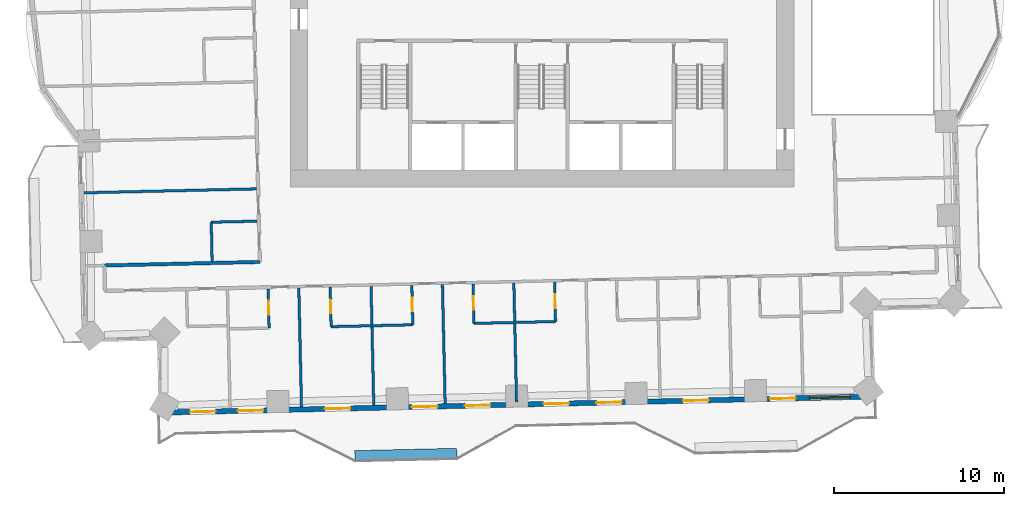
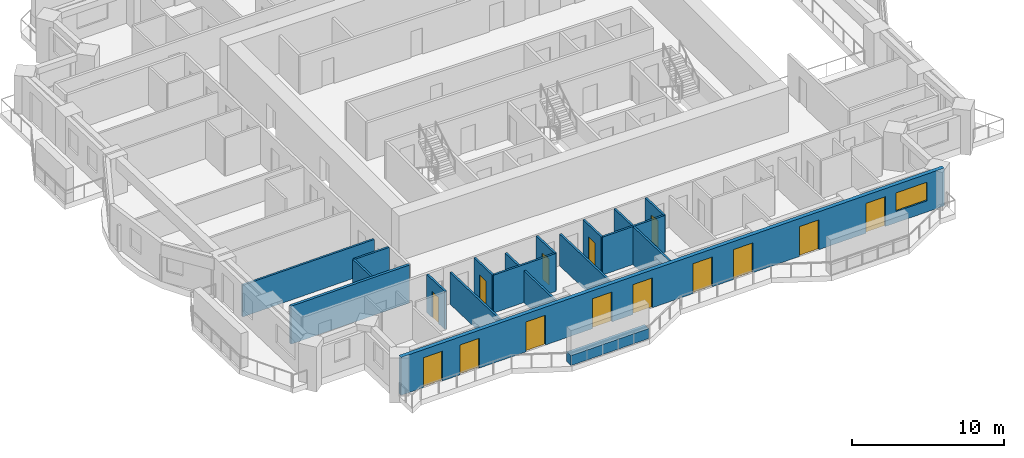
# One storey, part 6 of 16: 17 walls, 14 doors, 1 window, 15 openings.
"""IFC4 building model written with IfcOpenShell, lengths in metres."""

from ifc_helpers import new_model, si_unit, direction, frame, frame_2d, origin, place, context, subcontext, project, spatial, rectangle, extrude, material, layer, layer_set, type_object, element, fill, save


model = new_model("IFC4")

# Units and contexts
model_context = context("Model", 3, precision=1e-05, world=origin(), true_north=direction((0.0, 1.0)))
body_context = subcontext(model_context, "Body", "Model", "MODEL_VIEW")
ifc_project = project(units=[si_unit("LENGTHUNIT", "METRE"), si_unit("AREAUNIT", "SQUARE_METRE"), si_unit("VOLUMEUNIT", "CUBIC_METRE"), si_unit("PLANEANGLEUNIT", "RADIAN"), si_unit("MASSUNIT", "GRAM", prefix="KILO")], contexts=[model_context])

# Site, building, storey
site_placement = place(None, origin())
site = spatial("IfcSite", under=ifc_project, at=site_placement, CompositionType="ELEMENT")
building_placement = place(site_placement, origin())
building = spatial("IfcBuilding", under=site, at=building_placement, Name="Mangrove Gate Tower", CompositionType="ELEMENT")
storey_placement = place(building_placement, frame((0.0, 0.0, 137.300048828125)))
storey = spatial("IfcBuildingStorey", under=building, at=storey_placement, Name="L34", CompositionType="ELEMENT", Elevation=137.300048828125)

# Wall
ifc_material_1 = material(Name="Gypsum board on steel stud, EI 60", Category="steel")
ifc_layer_1 = layer(ifc_material_1, 0.199951171875)
ifc_layer_set_1 = layer_set([ifc_layer_1], Name="Corridor wall EI 60")
wall_type_1 = type_object("IfcWallType", Name="Corridor wall EI 60", PredefinedType="PARTITIONING", material=ifc_layer_set_1)
wall_1_placement = place(storey_placement, frame((-25.742919921875, -16.422119140625, 0.0), z_axis=(0.0, 0.0, 1.0), x_axis=(0.999741076645, 0.022754772455, 0.0)))
element("IfcWall", 1, at=wall_1_placement, inside=storey, type_object=wall_type_1, Name="WALL-L34-036", PredefinedType="PARTITIONING", context=body_context, shape_type="SweptSolid", body=[
    extrude(rectangle(XDim=9.141357421875, YDim=0.199951171875, at=frame_2d((4.57080078125, 0.0))), origin(), (0.0, 0.0, 1.0), 3.050048828125),
])

# Wall, openings, doors, window
ifc_material_2 = material(Name="Limestone", Category="masonry")
ifc_layer_2 = layer(ifc_material_2, 0.0400390625, Name="Limestone cladding")
ifc_material_3 = material(Name="Ventilated air gap")
ifc_layer_3 = layer(ifc_material_3, 0.0400390625, Name="Ventilated cavity")
ifc_material_4 = material(Name="Mineral wool insulation")
ifc_layer_4 = layer(ifc_material_4, 0.06005859375, Name="Insulation")
ifc_material_5 = material(Name="Breather membrane")
ifc_layer_5 = layer(ifc_material_5, 0.001953125, Name="Breather membrane")
ifc_material_6 = material(Name="Concrete C20/25 blockwork", Category="masonry")
ifc_layer_6 = layer(ifc_material_6, 0.14990234375, Name="Blockwork backing wall")
ifc_material_7 = material(Name="Gypsum plaster")
ifc_layer_7 = layer(ifc_material_7, 0.008056640625, Name="Internal plaster")
ifc_layer_set_2 = layer_set([ifc_layer_2, ifc_layer_3, ifc_layer_4, ifc_layer_5, ifc_layer_6, ifc_layer_7], Name="External wall 300 limestone cladding")
wall_type_2 = type_object("IfcWallType", Name="External wall 300 limestone cladding", PredefinedType="SOLIDWALL", material=ifc_layer_set_2)
wall_2_placement = place(storey_placement, frame((-22.39599609375, -25.077880859375, 0.0), z_axis=(0.0, 0.0, 1.0), x_axis=(0.99974279854, 0.022678993965, 0.0)))
wall_2 = element("IfcWall", 2, at=wall_2_placement, inside=storey, type_object=wall_type_2, Name="WALL-L34-S13", PredefinedType="SOLIDWALL", context=body_context, shape_type="SweptSolid", body=[
    extrude(rectangle(XDim=41.84375, YDim=0.300048828125, at=frame_2d((20.921875, 0.0))), origin(), (0.0, 0.0, 1.0), 3.050048828125),
])
opening_1_placement = place(wall_2_placement, frame((1.696044921875, 0.0, 0.0)))
opening_1 = element("IfcOpeningElement", 3, at=opening_1_placement, cuts=wall_2, Name="Opening BD1", PredefinedType="OPENING", context=body_context, shape_type="SweptSolid", body=[
    extrude(rectangle(XDim=1.5, YDim=2.39990234375, at=frame_2d((0.75, 1.199951171875))), frame((0.0, 0.159912109375, 0.0), z_axis=(0.0, -1.0, 0.0), x_axis=(1.0, 0.0, 0.0)), (0.0, 0.0, 1.0), 0.320068359375),
])
opening_2_placement = place(wall_2_placement, frame((4.511962890625, 0.0, 0.0)))
opening_2 = element("IfcOpeningElement", 4, at=opening_2_placement, cuts=wall_2, Name="Opening BD1", PredefinedType="OPENING", context=body_context, shape_type="SweptSolid", body=[
    extrude(rectangle(XDim=1.5, YDim=2.39990234375, at=frame_2d((0.75, 1.199951171875))), frame((0.0, 0.159912109375, 0.0), z_axis=(0.0, -1.0, 0.0), x_axis=(1.0, 0.0, 0.0)), (0.0, 0.0, 1.0), 0.320068359375),
])
opening_3_placement = place(wall_2_placement, frame((9.625, 0.0, 0.0)))
opening_3 = element("IfcOpeningElement", 5, at=opening_3_placement, cuts=wall_2, Name="Opening BD1", PredefinedType="OPENING", context=body_context, shape_type="SweptSolid", body=[
    extrude(rectangle(XDim=1.5, YDim=2.39990234375, at=frame_2d((0.75, 1.199951171875))), frame((0.0, 0.159912109375, 0.0), z_axis=(0.0, -1.0, 0.0), x_axis=(1.0, 0.0, 0.0)), (0.0, 0.0, 1.0), 0.320068359375),
])
opening_4_placement = place(wall_2_placement, frame((14.7490234375, 0.0, 0.0)))
opening_4 = element("IfcOpeningElement", 6, at=opening_4_placement, cuts=wall_2, Name="Opening BD1", PredefinedType="OPENING", context=body_context, shape_type="SweptSolid", body=[
    extrude(rectangle(XDim=1.5, YDim=2.39990234375, at=frame_2d((0.75, 1.199951171875))), frame((0.0, 0.159912109375, 0.0), z_axis=(0.0, -1.0, 0.0), x_axis=(1.0, 0.0, 0.0)), (0.0, 0.0, 1.0), 0.320068359375),
])
opening_5_placement = place(wall_2_placement, frame((17.861083984375, 0.0, 0.0)))
opening_5 = element("IfcOpeningElement", 7, at=opening_5_placement, cuts=wall_2, Name="Opening BD1", PredefinedType="OPENING", context=body_context, shape_type="SweptSolid", body=[
    extrude(rectangle(XDim=1.5, YDim=2.39990234375, at=frame_2d((0.75, 1.199951171875))), frame((0.0, 0.159912109375, 0.0), z_axis=(0.0, -1.0, 0.0), x_axis=(1.0, 0.0, 0.0)), (0.0, 0.0, 1.0), 0.320068359375),
])
opening_6_placement = place(wall_2_placement, frame((22.486083984375, 0.0, 0.0)))
opening_6 = element("IfcOpeningElement", 8, at=opening_6_placement, cuts=wall_2, Name="Opening BD1", PredefinedType="OPENING", context=body_context, shape_type="SweptSolid", body=[
    extrude(rectangle(XDim=1.5, YDim=2.39990234375, at=frame_2d((0.75, 1.199951171875))), frame((0.0, 0.159912109375, 0.0), z_axis=(0.0, -1.0, 0.0), x_axis=(1.0, 0.0, 0.0)), (0.0, 0.0, 1.0), 0.320068359375),
])
opening_7_placement = place(wall_2_placement, frame((25.597900390625, 0.0, 0.0)))
opening_7 = element("IfcOpeningElement", 9, at=opening_7_placement, cuts=wall_2, Name="Opening BD1", PredefinedType="OPENING", context=body_context, shape_type="SweptSolid", body=[
    extrude(rectangle(XDim=1.5, YDim=2.39990234375, at=frame_2d((0.75, 1.199951171875))), frame((0.0, 0.159912109375, 0.0), z_axis=(0.0, -1.0, 0.0), x_axis=(1.0, 0.0, 0.0)), (0.0, 0.0, 1.0), 0.320068359375),
])
opening_8_placement = place(wall_2_placement, frame((30.699951171875, 0.0, 0.0)))
opening_8 = element("IfcOpeningElement", 10, at=opening_8_placement, cuts=wall_2, Name="Opening BD1", PredefinedType="OPENING", context=body_context, shape_type="SweptSolid", body=[
    extrude(rectangle(XDim=1.5, YDim=2.39990234375, at=frame_2d((0.75, 1.199951171875))), frame((0.0, 0.159912109375, 0.0), z_axis=(0.0, -1.0, 0.0), x_axis=(1.0, 0.0, 0.0)), (0.0, 0.0, 1.0), 0.320068359375),
])
opening_9_placement = place(wall_2_placement, frame((35.81005859375, 0.0, 0.0)))
opening_9 = element("IfcOpeningElement", 11, at=opening_9_placement, cuts=wall_2, Name="Opening BD1", PredefinedType="OPENING", context=body_context, shape_type="SweptSolid", body=[
    extrude(rectangle(XDim=1.5, YDim=2.39990234375, at=frame_2d((0.75, 1.199951171875))), frame((0.0, 0.159912109375, 0.0), z_axis=(0.0, -1.0, 0.0), x_axis=(1.0, 0.0, 0.0)), (0.0, 0.0, 1.0), 0.320068359375),
])
opening_10_placement = place(wall_2_placement, frame((38.1240234375, 0.0, 0.89990234375)))
opening_10 = element("IfcOpeningElement", 12, at=opening_10_placement, cuts=wall_2, Name="Opening W2", PredefinedType="OPENING", context=body_context, shape_type="SweptSolid", body=[
    extrude(rectangle(XDim=2.39990234375, YDim=1.5, at=frame_2d((1.199951171875, 0.75))), frame((0.0, 0.159912109375, 0.0), z_axis=(0.0, -1.0, 0.0), x_axis=(1.0, 0.0, 0.0)), (0.0, 0.0, 1.0), 0.320068359375),
])
ifc_material_8 = material(Name="Aluminium frame with laminated clear glass", Category="aluminium")
door_type_1 = type_object("IfcDoorType", Name="Balcony sliding door 1500x2400", OperationType="SLIDING_TO_LEFT", PredefinedType="DOOR", material=ifc_material_8)
door_1_placement = place(opening_1_placement, origin())
door_1 = element("IfcDoor", 13, at=door_1_placement, inside=storey, type_object=door_type_1, Name="DOOR-L34-S13-1", OperationType="SLIDING_TO_LEFT", OverallHeight=2.39990234375, OverallWidth=1.5, PredefinedType="DOOR", context=body_context, shape_type="SweptSolid", body=[
    extrude(rectangle(XDim=1.5, YDim=2.39990234375, at=frame_2d((0.75, 1.199951171875))), frame((0.0, 0.02490234375, 0.0), z_axis=(0.0, -1.0, 0.0), x_axis=(1.0, 0.0, 0.0)), (0.0, 0.0, 1.0), 0.050048828125),
])
fill(opening_1, door_1)
door_2_placement = place(opening_2_placement, origin())
door_2 = element("IfcDoor", 14, at=door_2_placement, inside=storey, type_object=door_type_1, Name="DOOR-L34-S13-2", OperationType="SLIDING_TO_LEFT", OverallHeight=2.39990234375, OverallWidth=1.5, PredefinedType="DOOR", context=body_context, shape_type="SweptSolid", body=[
    extrude(rectangle(XDim=1.5, YDim=2.39990234375, at=frame_2d((0.75, 1.199951171875))), frame((0.0, 0.02490234375, 0.0), z_axis=(0.0, -1.0, 0.0), x_axis=(1.0, 0.0, 0.0)), (0.0, 0.0, 1.0), 0.050048828125),
])
fill(opening_2, door_2)
door_3_placement = place(opening_3_placement, origin())
door_3 = element("IfcDoor", 15, at=door_3_placement, inside=storey, type_object=door_type_1, Name="DOOR-L34-S13-3", OperationType="SLIDING_TO_LEFT", OverallHeight=2.39990234375, OverallWidth=1.5, PredefinedType="DOOR", context=body_context, shape_type="SweptSolid", body=[
    extrude(rectangle(XDim=1.5, YDim=2.39990234375, at=frame_2d((0.75, 1.199951171875))), frame((0.0, 0.02490234375, 0.0), z_axis=(0.0, -1.0, 0.0), x_axis=(1.0, 0.0, 0.0)), (0.0, 0.0, 1.0), 0.050048828125),
])
fill(opening_3, door_3)
door_4_placement = place(opening_4_placement, origin())
door_4 = element("IfcDoor", 16, at=door_4_placement, inside=storey, type_object=door_type_1, Name="DOOR-L34-S13-4", OperationType="SLIDING_TO_LEFT", OverallHeight=2.39990234375, OverallWidth=1.5, PredefinedType="DOOR", context=body_context, shape_type="SweptSolid", body=[
    extrude(rectangle(XDim=1.5, YDim=2.39990234375, at=frame_2d((0.75, 1.199951171875))), frame((0.0, 0.02490234375, 0.0), z_axis=(0.0, -1.0, 0.0), x_axis=(1.0, 0.0, 0.0)), (0.0, 0.0, 1.0), 0.050048828125),
])
fill(opening_4, door_4)
door_5_placement = place(opening_5_placement, origin())
door_5 = element("IfcDoor", 17, at=door_5_placement, inside=storey, type_object=door_type_1, Name="DOOR-L34-S13-5", OperationType="SLIDING_TO_LEFT", OverallHeight=2.39990234375, OverallWidth=1.5, PredefinedType="DOOR", context=body_context, shape_type="SweptSolid", body=[
    extrude(rectangle(XDim=1.5, YDim=2.39990234375, at=frame_2d((0.75, 1.199951171875))), frame((0.0, 0.02490234375, 0.0), z_axis=(0.0, -1.0, 0.0), x_axis=(1.0, 0.0, 0.0)), (0.0, 0.0, 1.0), 0.050048828125),
])
fill(opening_5, door_5)
door_6_placement = place(opening_6_placement, origin())
door_6 = element("IfcDoor", 18, at=door_6_placement, inside=storey, type_object=door_type_1, Name="DOOR-L34-S13-6", OperationType="SLIDING_TO_LEFT", OverallHeight=2.39990234375, OverallWidth=1.5, PredefinedType="DOOR", context=body_context, shape_type="SweptSolid", body=[
    extrude(rectangle(XDim=1.5, YDim=2.39990234375, at=frame_2d((0.75, 1.199951171875))), frame((0.0, 0.02490234375, 0.0), z_axis=(0.0, -1.0, 0.0), x_axis=(1.0, 0.0, 0.0)), (0.0, 0.0, 1.0), 0.050048828125),
])
fill(opening_6, door_6)
door_7_placement = place(opening_7_placement, origin())
door_7 = element("IfcDoor", 19, at=door_7_placement, inside=storey, type_object=door_type_1, Name="DOOR-L34-S13-7", OperationType="SLIDING_TO_LEFT", OverallHeight=2.39990234375, OverallWidth=1.5, PredefinedType="DOOR", context=body_context, shape_type="SweptSolid", body=[
    extrude(rectangle(XDim=1.5, YDim=2.39990234375, at=frame_2d((0.75, 1.199951171875))), frame((0.0, 0.02490234375, 0.0), z_axis=(0.0, -1.0, 0.0), x_axis=(1.0, 0.0, 0.0)), (0.0, 0.0, 1.0), 0.050048828125),
])
fill(opening_7, door_7)
door_8_placement = place(opening_8_placement, origin())
door_8 = element("IfcDoor", 20, at=door_8_placement, inside=storey, type_object=door_type_1, Name="DOOR-L34-S13-8", OperationType="SLIDING_TO_LEFT", OverallHeight=2.39990234375, OverallWidth=1.5, PredefinedType="DOOR", context=body_context, shape_type="SweptSolid", body=[
    extrude(rectangle(XDim=1.5, YDim=2.39990234375, at=frame_2d((0.75, 1.199951171875))), frame((0.0, 0.02490234375, 0.0), z_axis=(0.0, -1.0, 0.0), x_axis=(1.0, 0.0, 0.0)), (0.0, 0.0, 1.0), 0.050048828125),
])
fill(opening_8, door_8)
door_9_placement = place(opening_9_placement, origin())
door_9 = element("IfcDoor", 21, at=door_9_placement, inside=storey, type_object=door_type_1, Name="DOOR-L34-S13-9", OperationType="SLIDING_TO_LEFT", OverallHeight=2.39990234375, OverallWidth=1.5, PredefinedType="DOOR", context=body_context, shape_type="SweptSolid", body=[
    extrude(rectangle(XDim=1.5, YDim=2.39990234375, at=frame_2d((0.75, 1.199951171875))), frame((0.0, 0.02490234375, 0.0), z_axis=(0.0, -1.0, 0.0), x_axis=(1.0, 0.0, 0.0)), (0.0, 0.0, 1.0), 0.050048828125),
])
fill(opening_9, door_9)
ifc_material_9 = material(Name="Aluminium frame with double-glazed low-e glass", Category="aluminium")
window_type = type_object("IfcWindowType", Name="Corner room window 2400x1500", PartitioningType="DOUBLE_PANEL_VERTICAL", PredefinedType="WINDOW", material=ifc_material_9)
window_placement = place(opening_10_placement, origin())
window = element("IfcWindow", 22, at=window_placement, inside=storey, type_object=window_type, Name="WIN-L34-S13-10", OverallHeight=1.5, OverallWidth=2.39990234375, PartitioningType="DOUBLE_PANEL_VERTICAL", PredefinedType="WINDOW", context=body_context, shape_type="SweptSolid", body=[
    extrude(rectangle(XDim=2.39990234375, YDim=1.5, at=frame_2d((1.199951171875, 0.75))), frame((0.0, 0.030029296875, 0.0), z_axis=(0.0, -1.0, 0.0), x_axis=(1.0, 0.0, 0.0)), (0.0, 0.0, 1.0), 0.06005859375),
])
fill(opening_10, window)

# Walls
ifc_material_10 = material(Name="Gypsum board on steel stud, EI 60", Category="steel")
ifc_layer_8 = layer(ifc_material_10, 0.14990234375)
ifc_layer_set_3 = layer_set([ifc_layer_8], Name="Party wall 150 EI 60")
wall_type_3 = type_object("IfcWallType", Name="Party wall 150 EI 60", PredefinedType="PARTITIONING", material=ifc_layer_set_3)
for number, where, z_axis, x_axis, name in (
    (23, (-14.14892578125, -24.740966796875, 0.0), (0.0, 0.0, 1.0), (-0.022734078158, 0.999741547446, 0.0), "WALL-L34-002"),
    (24, (-9.89990234375, -24.64501953125, 0.0), (0.0, 0.0, 1.0), (-0.022734078158, 0.999741547446, 0.0), "WALL-L34-003"),
):
    element("IfcWall", number, at=place(storey_placement, frame(where, z_axis=z_axis, x_axis=x_axis)), inside=storey, type_object=wall_type_3, Name=name, PredefinedType="PARTITIONING", context=body_context, shape_type="SweptSolid", body=[
        extrude(rectangle(XDim=7.001708984375, YDim=0.14990234375, at=frame_2d((3.5009765625, 0.0))), origin(), (0.0, 0.0, 1.0), 2.550048828125),
    ])
wall_3_placement = place(storey_placement, frame((-5.701904296875, -24.549072265625, 0.0), z_axis=(0.0, 0.0, 1.0), x_axis=(-0.022597827698, 0.999744636486, 0.0)))
element("IfcWall", 25, at=wall_3_placement, inside=storey, type_object=wall_type_3, Name="WALL-L34-004", PredefinedType="PARTITIONING", context=body_context, shape_type="SweptSolid", body=[
    extrude(rectangle(XDim=7.000732421875, YDim=0.14990234375, at=frame_2d((3.50048828125, 0.0))), origin(), (0.0, 0.0, 1.0), 2.550048828125),
])
wall_4_placement = place(storey_placement, frame((-1.5029296875, -24.4541015625, 0.0), z_axis=(0.0, 0.0, 1.0), x_axis=(-0.02255982614, 0.999745494736, 0.0)))
element("IfcWall", 26, at=wall_4_placement, inside=storey, type_object=wall_type_3, Name="WALL-L34-005", PredefinedType="PARTITIONING", context=body_context, shape_type="SweptSolid", body=[
    extrude(rectangle(XDim=7.001708984375, YDim=0.14990234375, at=frame_2d((3.5009765625, 0.0))), origin(), (0.0, 0.0, 1.0), 3.050048828125),
])

# Wall, opening, door
wall_5_placement = place(storey_placement, frame((-16.054931640625, -20.10693359375, 0.0), z_axis=(0.0, 0.0, 1.0), x_axis=(-0.022603288534, 0.999744513037, 0.0)))
wall_5 = element("IfcWall", 27, at=wall_5_placement, inside=storey, type_object=wall_type_3, Name="WALL-L34-010", PredefinedType="PARTITIONING", context=body_context, shape_type="SweptSolid", body=[
    extrude(rectangle(XDim=2.300537109375, YDim=0.14990234375, at=frame_2d((1.150390625, 0.0))), origin(), (0.0, 0.0, 1.0), 3.050048828125),
])
opening_11_placement = place(wall_5_placement, frame((0.800048828125, 0.0, 0.0)))
opening_11 = element("IfcOpeningElement", 28, at=opening_11_placement, cuts=wall_5, Name="Opening ED", PredefinedType="OPENING", context=body_context, shape_type="SweptSolid", body=[
    extrude(rectangle(XDim=0.800048828125, YDim=2.10009765625, at=frame_2d((0.39990234375, 1.050048828125))), frame((0.0, 0.0849609375, 0.0), z_axis=(0.0, -1.0, 0.0), x_axis=(1.0, 0.0, 0.0)), (0.0, 0.0, 1.0), 0.169921875),
])
ifc_material_11 = material(Name="Timber door leaf", Category="wood")
door_type_2 = type_object("IfcDoorType", Name="En-suite door 800", OperationType="SINGLE_SWING_LEFT", PredefinedType="DOOR", material=ifc_material_11)
door_10_placement = place(opening_11_placement, origin())
door_10 = element("IfcDoor", 29, at=door_10_placement, inside=storey, type_object=door_type_2, Name="DOOR-L34-ENS-c101", OperationType="SINGLE_SWING_LEFT", OverallHeight=2.10009765625, OverallWidth=0.800048828125, PredefinedType="DOOR", context=body_context, shape_type="SweptSolid", body=[
    extrude(rectangle(XDim=0.800048828125, YDim=2.10009765625, at=frame_2d((0.39990234375, 1.050048828125))), frame((0.0, 0.02490234375, 0.0), z_axis=(0.0, -1.0, 0.0), x_axis=(1.0, 0.0, 0.0)), (0.0, 0.0, 1.0), 0.050048828125),
])
fill(opening_11, door_10)

wall_6_placement = place(storey_placement, frame((-12.406005859375, -20.02392578125, 0.0), z_axis=(0.0, 0.0, 1.0), x_axis=(-0.022781023197, 0.999740478815, 0.0)))
wall_6 = element("IfcWall", 30, at=wall_6_placement, inside=storey, type_object=wall_type_3, Name="WALL-L34-011", PredefinedType="PARTITIONING", context=body_context, shape_type="SweptSolid", body=[
    extrude(rectangle(XDim=2.325439453125, YDim=0.14990234375, at=frame_2d((1.16259765625, 0.0))), origin(), (0.0, 0.0, 1.0), 3.050048828125),
])
opening_12_placement = place(wall_6_placement, frame((0.800048828125, 0.0, 0.0)))
opening_12 = element("IfcOpeningElement", 31, at=opening_12_placement, cuts=wall_6, Name="Opening ED", PredefinedType="OPENING", context=body_context, shape_type="SweptSolid", body=[
    extrude(rectangle(XDim=0.800048828125, YDim=2.10009765625, at=frame_2d((0.39990234375, 1.050048828125))), frame((0.0, 0.0849609375, 0.0), z_axis=(0.0, -1.0, 0.0), x_axis=(1.0, 0.0, 0.0)), (0.0, 0.0, 1.0), 0.169921875),
])
door_11_placement = place(opening_12_placement, origin())
door_11 = element("IfcDoor", 32, at=door_11_placement, inside=storey, type_object=door_type_2, Name="DOOR-L34-ENS-c102", OperationType="SINGLE_SWING_RIGHT", OverallHeight=2.10009765625, OverallWidth=0.800048828125, PredefinedType="DOOR", context=body_context, shape_type="SweptSolid", body=[
    extrude(rectangle(XDim=0.800048828125, YDim=2.10009765625, at=frame_2d((0.39990234375, 1.050048828125))), frame((0.0, 0.02490234375, 0.0), z_axis=(0.0, -1.0, 0.0), x_axis=(1.0, 0.0, 0.0)), (0.0, 0.0, 1.0), 0.050048828125),
])
fill(opening_12, door_11)

wall_7_placement = place(storey_placement, frame((-7.60693359375, -19.9150390625, 0.0), z_axis=(0.0, 0.0, 1.0), x_axis=(-0.02279059109, 0.999740260747, 0.0)))
wall_7 = element("IfcWall", 33, at=wall_7_placement, inside=storey, type_object=wall_type_3, Name="WALL-L34-012", PredefinedType="PARTITIONING", context=body_context, shape_type="SweptSolid", body=[
    extrude(rectangle(XDim=2.324462890625, YDim=0.14990234375, at=frame_2d((1.162109375, 0.0))), origin(), (0.0, 0.0, 1.0), 3.050048828125),
])
opening_13_placement = place(wall_7_placement, frame((0.800048828125, 0.0, 0.0)))
opening_13 = element("IfcOpeningElement", 34, at=opening_13_placement, cuts=wall_7, Name="Opening ED", PredefinedType="OPENING", context=body_context, shape_type="SweptSolid", body=[
    extrude(rectangle(XDim=0.800048828125, YDim=2.10009765625, at=frame_2d((0.39990234375, 1.050048828125))), frame((0.0, 0.0849609375, 0.0), z_axis=(0.0, -1.0, 0.0), x_axis=(1.0, 0.0, 0.0)), (0.0, 0.0, 1.0), 0.169921875),
])
door_12_placement = place(opening_13_placement, origin())
door_12 = element("IfcDoor", 35, at=door_12_placement, inside=storey, type_object=door_type_2, Name="DOOR-L34-ENS-c103", OperationType="SINGLE_SWING_LEFT", OverallHeight=2.10009765625, OverallWidth=0.800048828125, PredefinedType="DOOR", context=body_context, shape_type="SweptSolid", body=[
    extrude(rectangle(XDim=0.800048828125, YDim=2.10009765625, at=frame_2d((0.39990234375, 1.050048828125))), frame((0.0, 0.02490234375, 0.0), z_axis=(0.0, -1.0, 0.0), x_axis=(1.0, 0.0, 0.0)), (0.0, 0.0, 1.0), 0.050048828125),
])
fill(opening_13, door_12)

wall_8_placement = place(storey_placement, frame((-4.008056640625, -19.8330078125, 0.0), z_axis=(0.0, 0.0, 1.0), x_axis=(-0.02279059109, 0.999740260747, 0.0)))
wall_8 = element("IfcWall", 36, at=wall_8_placement, inside=storey, type_object=wall_type_3, Name="WALL-L34-013", PredefinedType="PARTITIONING", context=body_context, shape_type="SweptSolid", body=[
    extrude(rectangle(XDim=2.324462890625, YDim=0.14990234375, at=frame_2d((1.162109375, 0.0))), origin(), (0.0, 0.0, 1.0), 3.050048828125),
])
opening_14_placement = place(wall_8_placement, frame((0.800048828125, 0.0, 0.0)))
opening_14 = element("IfcOpeningElement", 37, at=opening_14_placement, cuts=wall_8, Name="Opening ED", PredefinedType="OPENING", context=body_context, shape_type="SweptSolid", body=[
    extrude(rectangle(XDim=0.800048828125, YDim=2.10009765625, at=frame_2d((0.39990234375, 1.050048828125))), frame((0.0, 0.0849609375, 0.0), z_axis=(0.0, -1.0, 0.0), x_axis=(1.0, 0.0, 0.0)), (0.0, 0.0, 1.0), 0.169921875),
])
door_13_placement = place(opening_14_placement, origin())
door_13 = element("IfcDoor", 38, at=door_13_placement, inside=storey, type_object=door_type_2, Name="DOOR-L34-ENS-c204", OperationType="SINGLE_SWING_RIGHT", OverallHeight=2.10009765625, OverallWidth=0.800048828125, PredefinedType="DOOR", context=body_context, shape_type="SweptSolid", body=[
    extrude(rectangle(XDim=0.800048828125, YDim=2.10009765625, at=frame_2d((0.39990234375, 1.050048828125))), frame((0.0, 0.02490234375, 0.0), z_axis=(0.0, -1.0, 0.0), x_axis=(1.0, 0.0, 0.0)), (0.0, 0.0, 1.0), 0.050048828125),
])
fill(opening_14, door_13)

wall_9_placement = place(storey_placement, frame((0.791015625, -19.72412109375, 0.0), z_axis=(0.0, 0.0, 1.0), x_axis=(-0.022788198363, 0.99974031529, 0.0)))
wall_9 = element("IfcWall", 39, at=wall_9_placement, inside=storey, type_object=wall_type_3, Name="WALL-L34-014", PredefinedType="PARTITIONING", context=body_context, shape_type="SweptSolid", body=[
    extrude(rectangle(XDim=2.32470703125, YDim=0.14990234375, at=frame_2d((1.162353515625, 0.0))), origin(), (0.0, 0.0, 1.0), 3.050048828125),
])
opening_15_placement = place(wall_9_placement, frame((0.800048828125, 0.0, 0.0)))
opening_15 = element("IfcOpeningElement", 40, at=opening_15_placement, cuts=wall_9, Name="Opening ED", PredefinedType="OPENING", context=body_context, shape_type="SweptSolid", body=[
    extrude(rectangle(XDim=0.800048828125, YDim=2.10009765625, at=frame_2d((0.39990234375, 1.050048828125))), frame((0.0, 0.0849609375, 0.0), z_axis=(0.0, -1.0, 0.0), x_axis=(1.0, 0.0, 0.0)), (0.0, 0.0, 1.0), 0.169921875),
])
door_14_placement = place(opening_15_placement, origin())
door_14 = element("IfcDoor", 41, at=door_14_placement, inside=storey, type_object=door_type_2, Name="DOOR-L34-ENS-c205", OperationType="SINGLE_SWING_LEFT", OverallHeight=2.10009765625, OverallWidth=0.800048828125, PredefinedType="DOOR", context=body_context, shape_type="SweptSolid", body=[
    extrude(rectangle(XDim=0.800048828125, YDim=2.10009765625, at=frame_2d((0.39990234375, 1.050048828125))), frame((0.0, 0.02490234375, 0.0), z_axis=(0.0, -1.0, 0.0), x_axis=(1.0, 0.0, 0.0)), (0.0, 0.0, 1.0), 0.050048828125),
])
fill(opening_15, door_14)

# Walls
for number, where, z_axis, x_axis, name in (
    (42, (-12.407958984375, -20.02001953125, 0.0), (0.0, 0.0, 1.0), (0.99974154664, 0.022734113616, 0.0), "WALL-L34-019"),
    (43, (-4.010009765625, -19.8291015625, 0.0), (0.0, 0.0, 1.0), (0.99974154664, 0.022734113616, 0.0), "WALL-L34-020"),
):
    element("IfcWall", number, at=place(storey_placement, frame(where, z_axis=z_axis, x_axis=x_axis)), inside=storey, type_object=wall_type_3, Name=name, PredefinedType="PARTITIONING", context=body_context, shape_type="SweptSolid", body=[
        extrude(rectangle(XDim=4.80029296875, YDim=0.14990234375, at=frame_2d((2.400146484375, 0.0))), origin(), (0.0, 0.0, 1.0), 3.050048828125),
    ])
wall_10_placement = place(storey_placement, frame((-19.405029296875, -16.181884765625, 0.0), z_axis=(0.0, 0.0, 1.0), x_axis=(-0.022605686808, 0.999744458811, 0.0)))
element("IfcWall", 44, at=wall_10_placement, inside=storey, type_object=wall_type_3, Name="WALL-L34-032", PredefinedType="PARTITIONING", context=body_context, shape_type="SweptSolid", body=[
    extrude(rectangle(XDim=2.30029296875, YDim=0.14990234375, at=frame_2d((1.150146484375, 0.0))), origin(), (0.0, 0.0, 1.0), 3.050048828125),
])
wall_11_placement = place(storey_placement, frame((-19.4580078125, -13.8779296875, 0.0), z_axis=(0.0, 0.0, 1.0), x_axis=(0.999744396973, 0.02260842146, 0.0)))
element("IfcWall", 45, at=wall_11_placement, inside=storey, type_object=wall_type_3, Name="WALL-L34-039", PredefinedType="PARTITIONING", context=body_context, shape_type="SweptSolid", body=[
    extrude(rectangle(XDim=2.69970703125, YDim=0.14990234375, at=frame_2d((1.349853515625, 0.0))), origin(), (0.0, 0.0, 1.0), 3.050048828125),
])
wall_12_placement = place(storey_placement, frame((-26.94091796875, -12.14794921875, 0.0), z_axis=(0.0, 0.0, 1.0), x_axis=(0.999742841246, 0.022677111331, 0.0)))
element("IfcWall", 46, at=wall_12_placement, inside=storey, type_object=wall_type_3, Name="WALL-L34-041", PredefinedType="PARTITIONING", context=body_context, shape_type="SweptSolid", body=[
    extrude(rectangle(XDim=10.1416015625, YDim=0.14990234375, at=frame_2d((5.07080078125, 0.0))), origin(), (0.0, 0.0, 1.0), 2.550048828125),
])
ifc_material_12 = material(Name="Concrete C32/40", Category="concrete")
ifc_layer_9 = layer(ifc_material_12, 0.199951171875, Name="Planter trough wall")
ifc_material_13 = material(Name="Bituminous waterproofing membrane")
ifc_layer_10 = layer(ifc_material_13, 0.0048828125, Name="Waterproofing")
ifc_material_14 = material(Name="Drainage board and gravel")
ifc_layer_11 = layer(ifc_material_14, 0.044921875, Name="Drainage layer")
ifc_material_15 = material(Name="Planting soil")
ifc_layer_12 = layer(ifc_material_15, 0.300048828125, Name="Growing medium")
ifc_layer_set_4 = layer_set([ifc_layer_9, ifc_layer_10, ifc_layer_11, ifc_layer_12], Name="Planter wall 550 C32/40")
wall_type_4 = type_object("IfcWallType", Name="Planter wall 550 C32/40", PredefinedType="USERDEFINED", material=ifc_layer_set_4)
wall_13_placement = place(storey_placement, frame((-11.013916015625, -27.5849609375, 0.0), z_axis=(0.0, 0.0, 1.0), x_axis=(0.999743178102, 0.022662255828, 0.0)))
element("IfcWall", 47, at=wall_13_placement, inside=storey, type_object=wall_type_4, Name="PLANTER L34 S0.1", ObjectType="PLANTER", PredefinedType="USERDEFINED", context=body_context, shape_type="SweptSolid", body=[
    extrude(rectangle(XDim=6.00048828125, YDim=0.550048828125, at=frame_2d((3.000244140625, 0.0))), origin(), (0.0, 0.0, 1.0), 0.800048828125),
])

save(model, "model.ifc")
